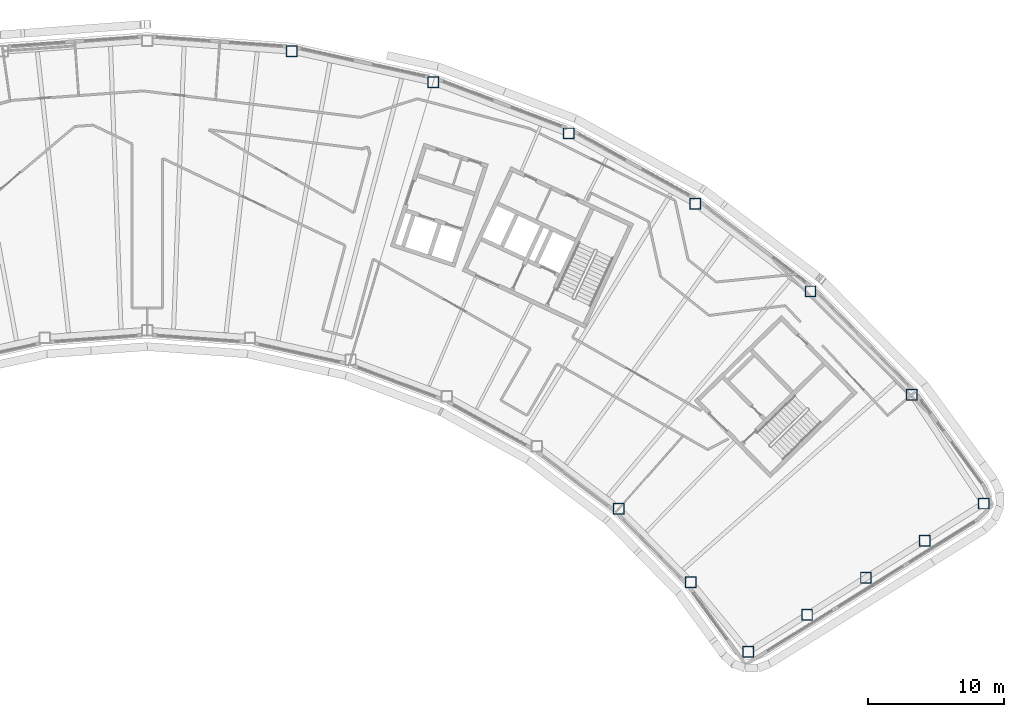
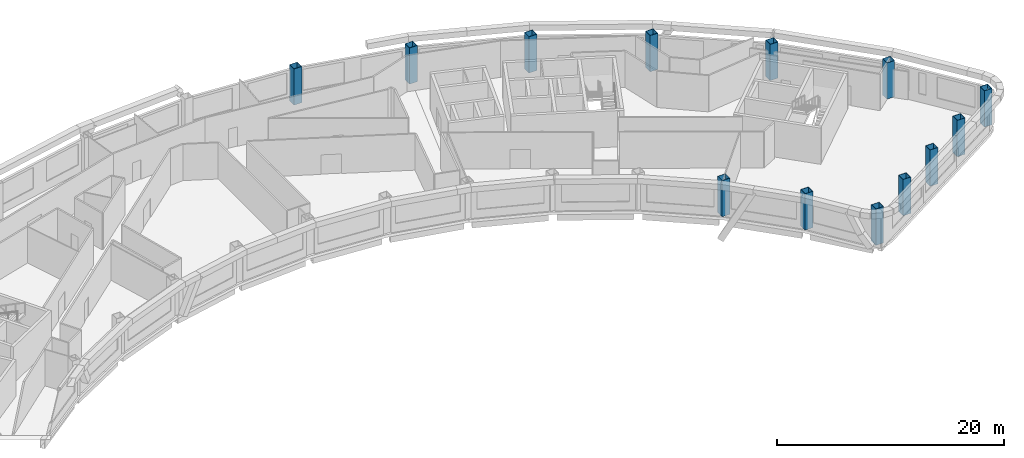
# One storey, part 2 of 13: 13 columns.
"""IFC4 building model written with IfcOpenShell, lengths in metres."""

from ifc_helpers import new_model, si_unit, direction, frame, origin, origin_2d, place, context, subcontext, project, spatial, hollow_rectangle, extrude, material, material_profile, profile_set, type_object, element, save


model = new_model("IFC4")

# Units and contexts
model_context = context("Model", 3, precision=1e-05, world=origin(), true_north=direction((0.0, 1.0)))
body_context = subcontext(model_context, "Body", "Model", "MODEL_VIEW")
ifc_project = project(units=[si_unit("LENGTHUNIT", "METRE"), si_unit("AREAUNIT", "SQUARE_METRE"), si_unit("VOLUMEUNIT", "CUBIC_METRE"), si_unit("PLANEANGLEUNIT", "RADIAN"), si_unit("MASSUNIT", "GRAM", prefix="KILO")], contexts=[model_context])

# Site, building, storey
site_placement = place(None, origin())
site = spatial("IfcSite", under=ifc_project, at=site_placement, CompositionType="ELEMENT")
building_placement = place(site_placement, origin())
building = spatial("IfcBuilding", under=site, at=building_placement, Name="Tuul Gate Civic Tower", CompositionType="ELEMENT")
storey_placement = place(building_placement, frame((0.0, 0.0, 340.699951171875)))
storey = spatial("IfcBuildingStorey", under=building, at=storey_placement, Name="Level 77", CompositionType="ELEMENT", Elevation=340.699951171875)

# Columns
ifc_material = material(Name="Steel S355", Category="steel")
ifc_material_profile = material_profile(ifc_material, hollow_rectangle(XDim=0.800048828125, YDim=0.800048828125, WallThickness=0.031982421875, at=origin_2d()), Name="BOX800x800x32")
ifc_profile_set = profile_set([ifc_material_profile], Name="Steel S355")
column_type = type_object("IfcColumnType", Name="STR-COLUMN-BOX800x800x32", PredefinedType="COLUMN", material=ifc_profile_set)
for number, where, z_axis, x_axis, name in (
    (1, (63.863037109375, -20.300048828125, 0.0), (0.0, 0.0, 1.0), (1.0, 0.0, 0.0), "Column"),
    (2, (58.56396484375, -12.2880859375, 0.0), (0.0, 0.0, 1.0), (1.0, 0.0, 0.0), "Column"),
    (3, (51.090087890625, -4.6630859375, 0.0), (0.0, 0.0, 1.0), (1.0, 0.0, 0.0), "Column"),
    (4, (42.593994140625, 1.804931640625, 0.0), (0.0, 0.0, 1.0), (1.0, 0.0, 0.0), "Column"),
    (5, (33.256103515625, 6.98193359375, 0.0), (0.0, 0.0, 1.0), (1.0, 0.0, 0.0), "Column"),
    (6, (23.26904296875, 10.758056640625, 0.0), (0.0, 0.0, 1.0), (1.0, 0.0, 0.0), "Column"),
    (7, (12.841064453125, 13.055908203125, 0.0), (0.0, 0.0, 1.0), (1.0, 0.0, 0.0), "Column"),
    (8, (36.958984375, -20.675048828125, 0.0), (0.0, 0.0, 1.0), (1.0, 0.0, 0.0), "Column"),
    (9, (42.27294921875, -26.096923828125, 0.0), (0.0, 0.0, 1.0), (1.0, 0.0, 0.0), "Column"),
    (10, (46.492919921875, -31.239013671875, 0.0), (0.0, 0.0, 1.0), (1.0, 0.0, 0.0), "Column"),
    (11, (50.8349609375, -28.50390625, 0.0), (0.0, 0.0, 1.0), (1.0, 0.0, 0.0), "Column"),
    (12, (55.177978515625, -25.77001953125, 0.0), (0.0, 0.0, 1.0), (1.0, 0.0, 0.0), "Column"),
    (13, (59.52001953125, -23.034912109375, 0.0), (0.0, 0.0, 1.0), (1.0, 0.0, 0.0), "Column"),
):
    element("IfcColumn", number, at=place(storey_placement, frame(where, z_axis=z_axis, x_axis=x_axis)), inside=storey, type_object=column_type, Name=name, PredefinedType="COLUMN", context=body_context, shape_type="SweptSolid", body=[
        extrude(hollow_rectangle(XDim=0.800048828125, YDim=0.800048828125, WallThickness=0.031982421875, at=origin_2d()), origin(), (0.0, 0.0, 1.0), 3.900146484375),
    ])

save(model, "model.ifc")
